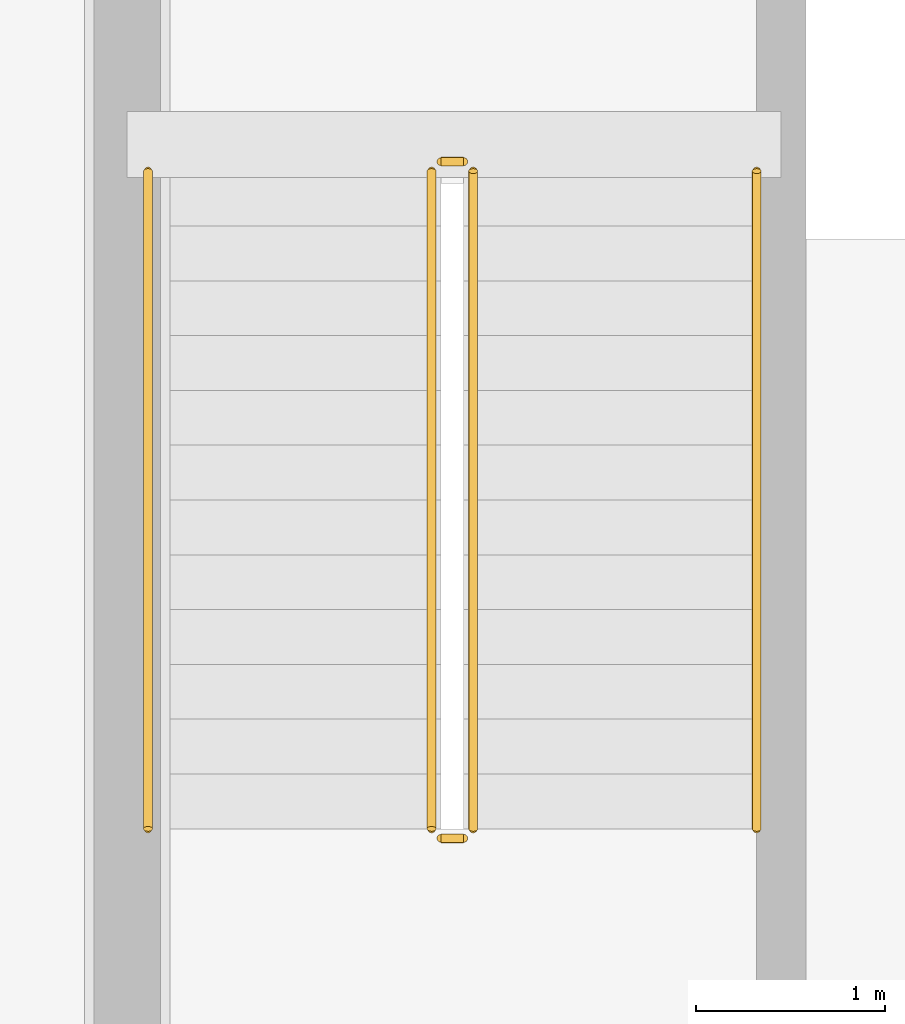
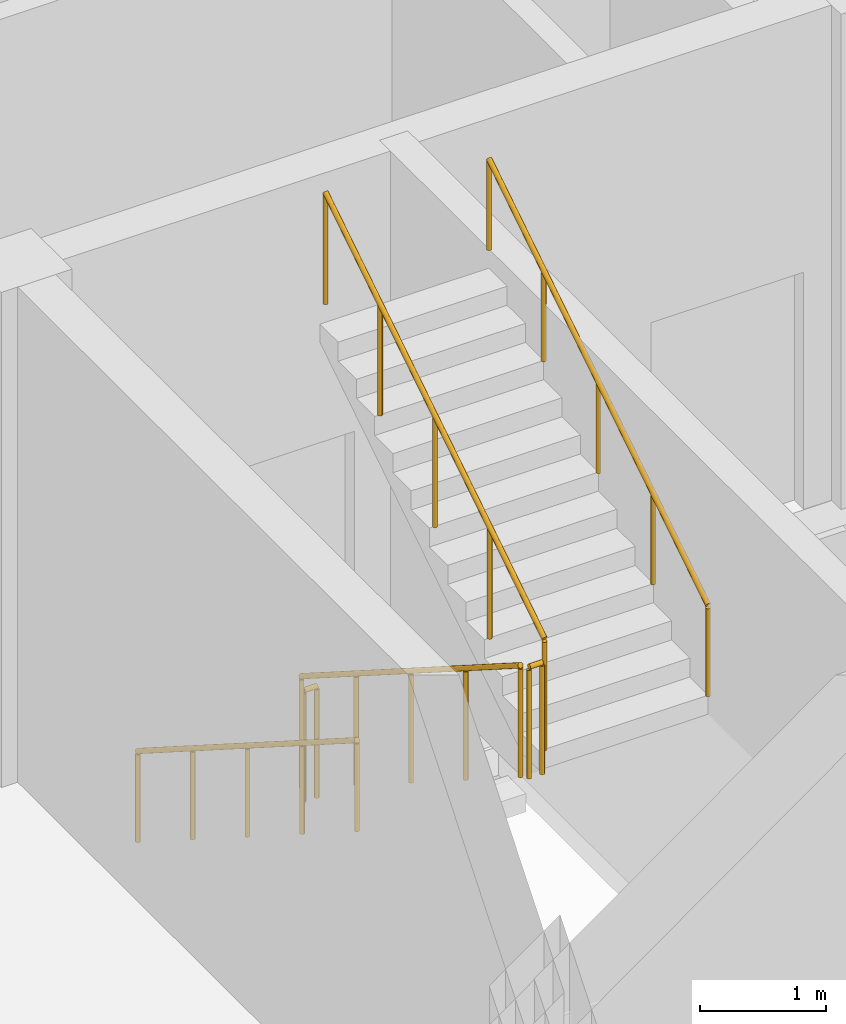
# One storey, part 47 of 47: 6 railings.
"""IFC4 building model written with IfcOpenShell, lengths in metres."""

from ifc_helpers import new_model, si_unit, direction, frame, origin, origin_2d, place, context, subcontext, project, spatial, circle, extrude, material, type_object, element, save


model = new_model("IFC4")

# Units and contexts
model_context = context("Model", 3, precision=1e-05, world=origin(), true_north=direction((0.0, 1.0)))
body_context = subcontext(model_context, "Body", "Model", "MODEL_VIEW")
ifc_project = project(units=[si_unit("LENGTHUNIT", "METRE"), si_unit("AREAUNIT", "SQUARE_METRE"), si_unit("VOLUMEUNIT", "CUBIC_METRE"), si_unit("PLANEANGLEUNIT", "RADIAN"), si_unit("MASSUNIT", "GRAM", prefix="KILO")], contexts=[model_context])

# Site, building, storey
site_placement = place(None, origin())
site = spatial("IfcSite", under=ifc_project, at=site_placement, CompositionType="ELEMENT")
building_placement = place(site_placement, origin())
building = spatial("IfcBuilding", under=site, at=building_placement, Name="Vharandega Faculty of Natural Sciences", CompositionType="ELEMENT")
storey_placement = place(building_placement, frame((0.0, 0.0, 5.39990234375)))
storey = spatial("IfcBuildingStorey", under=building, at=storey_placement, Name="L01", CompositionType="ELEMENT", Elevation=5.39990234375)

# Railings
ifc_material_1 = material(Name="Brushed stainless steel handrail", Category="steel")
railing_type_1 = type_object("IfcRailingType", Name="Stair Tubular Handrail 900", PredefinedType="HANDRAIL", material=ifc_material_1)
railing_1_placement = place(storey_placement, frame((146.110107421875, 70.659912109375, 0.184814453125)))
element("IfcRailing", 1, at=railing_1_placement, inside=storey, type_object=railing_type_1, Name="L01 ST2 stair handrail 1", PredefinedType="HANDRAIL", context=body_context, shape_type="SweptSolid", body=[
    extrude(circle(Radius=0.02392578125, at=origin_2d()), frame((0.0, 0.0, 0.8759765625), z_axis=(0.0, -0.843573748531, 0.537013343214), x_axis=(1.0, 0.0, 0.0)), (0.0, 0.0, 1.0), 4.125244140625),
    extrude(circle(Radius=0.02099609375, at=origin_2d()), origin(), (0.0, 0.0, 1.0), 0.851806640625),
    extrude(circle(Radius=0.02099609375, at=origin_2d()), frame((0.0, -0.8701171875, 0.5537109375)), (0.0, 0.0, 1.0), 0.851806640625),
    extrude(circle(Radius=0.02099609375, at=origin_2d()), frame((0.0, -1.739990234375, 1.107666015625)), (0.0, 0.0, 1.0), 0.851806640625),
    extrude(circle(Radius=0.02099609375, at=origin_2d()), frame((0.0, -2.60986328125, 1.66162109375)), (0.0, 0.0, 1.0), 0.851806640625),
    extrude(circle(Radius=0.02099609375, at=origin_2d()), frame((0.0, -3.47998046875, 2.21533203125)), (0.0, 0.0, 1.0), 0.851806640625),
])
railing_2_placement = place(storey_placement, frame((149.330078125, 67.179931640625, 2.584716796875)))
element("IfcRailing", 2, at=railing_2_placement, inside=storey, type_object=railing_type_1, Name="L01 ST2 stair handrail 2", PredefinedType="HANDRAIL", context=body_context, shape_type="SweptSolid", body=[
    extrude(circle(Radius=0.02392578125, at=origin_2d()), frame((0.0, 0.0, 0.8759765625), z_axis=(0.0, 0.843573748531, 0.537013343214), x_axis=(-1.0, 0.0, 0.0)), (0.0, 0.0, 1.0), 4.125244140625),
    extrude(circle(Radius=0.02099609375, at=origin_2d()), origin(), (0.0, 0.0, 1.0), 0.851806640625),
    extrude(circle(Radius=0.02099609375, at=origin_2d()), frame((0.0, 0.8701171875, 0.5537109375)), (0.0, 0.0, 1.0), 0.851806640625),
    extrude(circle(Radius=0.02099609375, at=origin_2d()), frame((0.0, 1.739990234375, 1.107666015625)), (0.0, 0.0, 1.0), 0.851806640625),
    extrude(circle(Radius=0.02099609375, at=origin_2d()), frame((0.0, 2.60986328125, 1.66162109375)), (0.0, 0.0, 1.0), 0.851806640625),
    extrude(circle(Radius=0.02099609375, at=origin_2d()), frame((0.0, 3.47998046875, 2.21533203125)), (0.0, 0.0, 1.0), 0.851806640625),
])
ifc_material_2 = material(Name="Painted steel stair guardrail", Category="steel")
railing_type_2 = type_object("IfcRailingType", Name="Stairwell Steel Guardrail 1100", PredefinedType="GUARDRAIL", material=ifc_material_2)
railing_3_placement = place(storey_placement, frame((147.610107421875, 70.659912109375, 0.184814453125)))
element("IfcRailing", 3, at=railing_3_placement, inside=storey, type_object=railing_type_2, Name="L01 ST2 stair guard 1", PredefinedType="GUARDRAIL", context=body_context, shape_type="SweptSolid", body=[
    extrude(circle(Radius=0.02392578125, at=origin_2d()), frame((0.0, 0.0, 1.076171875), z_axis=(0.0, -0.843573748531, 0.537013343214), x_axis=(1.0, 0.0, 0.0)), (0.0, 0.0, 1.0), 4.125244140625),
    extrude(circle(Radius=0.02099609375, at=origin_2d()), origin(), (0.0, 0.0, 1.0), 1.052001953125),
    extrude(circle(Radius=0.02099609375, at=origin_2d()), frame((0.0, -0.8701171875, 0.5537109375)), (0.0, 0.0, 1.0), 1.052001953125),
    extrude(circle(Radius=0.02099609375, at=origin_2d()), frame((0.0, -1.739990234375, 1.107666015625)), (0.0, 0.0, 1.0), 1.052001953125),
    extrude(circle(Radius=0.02099609375, at=origin_2d()), frame((0.0, -2.60986328125, 1.66162109375)), (0.0, 0.0, 1.0), 1.052001953125),
    extrude(circle(Radius=0.02099609375, at=origin_2d()), frame((0.0, -3.47998046875, 2.21533203125)), (0.0, 0.0, 1.0), 1.052001953125),
])
railing_4_placement = place(storey_placement, frame((147.659912109375, 67.1298828125, 2.400146484375)))
element("IfcRailing", 4, at=railing_4_placement, inside=storey, type_object=railing_type_2, Name="L01 ST2 stair guard 2", PredefinedType="GUARDRAIL", context=body_context, shape_type="SweptSolid", body=[
    extrude(circle(Radius=0.02392578125, at=origin_2d()), frame((0.0, 0.0, 1.076171875), z_axis=(1.0, 0.0, 0.0), x_axis=(0.0, 1.0, 0.0)), (0.0, 0.0, 1.0), 0.1201171875),
    extrude(circle(Radius=0.02099609375, at=origin_2d()), origin(), (0.0, 0.0, 1.0), 1.052001953125),
    extrude(circle(Radius=0.02099609375, at=origin_2d()), frame((0.1201171875, 0.0, 0.0)), (0.0, 0.0, 1.0), 1.052001953125),
])
railing_5_placement = place(storey_placement, frame((147.830078125, 67.179931640625, 2.584716796875)))
element("IfcRailing", 5, at=railing_5_placement, inside=storey, type_object=railing_type_2, Name="L01 ST2 stair guard 3", PredefinedType="GUARDRAIL", context=body_context, shape_type="SweptSolid", body=[
    extrude(circle(Radius=0.02392578125, at=origin_2d()), frame((0.0, 0.0, 1.076171875), z_axis=(0.0, 0.843573748531, 0.537013343214), x_axis=(-1.0, 0.0, 0.0)), (0.0, 0.0, 1.0), 4.125244140625),
    extrude(circle(Radius=0.02099609375, at=origin_2d()), origin(), (0.0, 0.0, 1.0), 1.052001953125),
    extrude(circle(Radius=0.02099609375, at=origin_2d()), frame((0.0, 0.8701171875, 0.5537109375)), (0.0, 0.0, 1.0), 1.052001953125),
    extrude(circle(Radius=0.02099609375, at=origin_2d()), frame((0.0, 1.739990234375, 1.107666015625)), (0.0, 0.0, 1.0), 1.052001953125),
    extrude(circle(Radius=0.02099609375, at=origin_2d()), frame((0.0, 2.60986328125, 1.66162109375)), (0.0, 0.0, 1.0), 1.052001953125),
    extrude(circle(Radius=0.02099609375, at=origin_2d()), frame((0.0, 3.47998046875, 2.21533203125)), (0.0, 0.0, 1.0), 1.052001953125),
])
railing_6_placement = place(storey_placement, frame((147.659912109375, 70.7099609375, 0.0)))
element("IfcRailing", 6, at=railing_6_placement, inside=storey, type_object=railing_type_2, Name="L01 ST2 stair guard 4", PredefinedType="GUARDRAIL", context=body_context, shape_type="SweptSolid", body=[
    extrude(circle(Radius=0.02392578125, at=origin_2d()), frame((0.0, 0.0, 1.076171875), z_axis=(1.0, 0.0, 0.0), x_axis=(0.0, 1.0, 0.0)), (0.0, 0.0, 1.0), 0.1201171875),
    extrude(circle(Radius=0.02099609375, at=origin_2d()), origin(), (0.0, 0.0, 1.0), 1.052001953125),
    extrude(circle(Radius=0.02099609375, at=origin_2d()), frame((0.1201171875, 0.0, 0.0)), (0.0, 0.0, 1.0), 1.052001953125),
])

save(model, "model.ifc")
